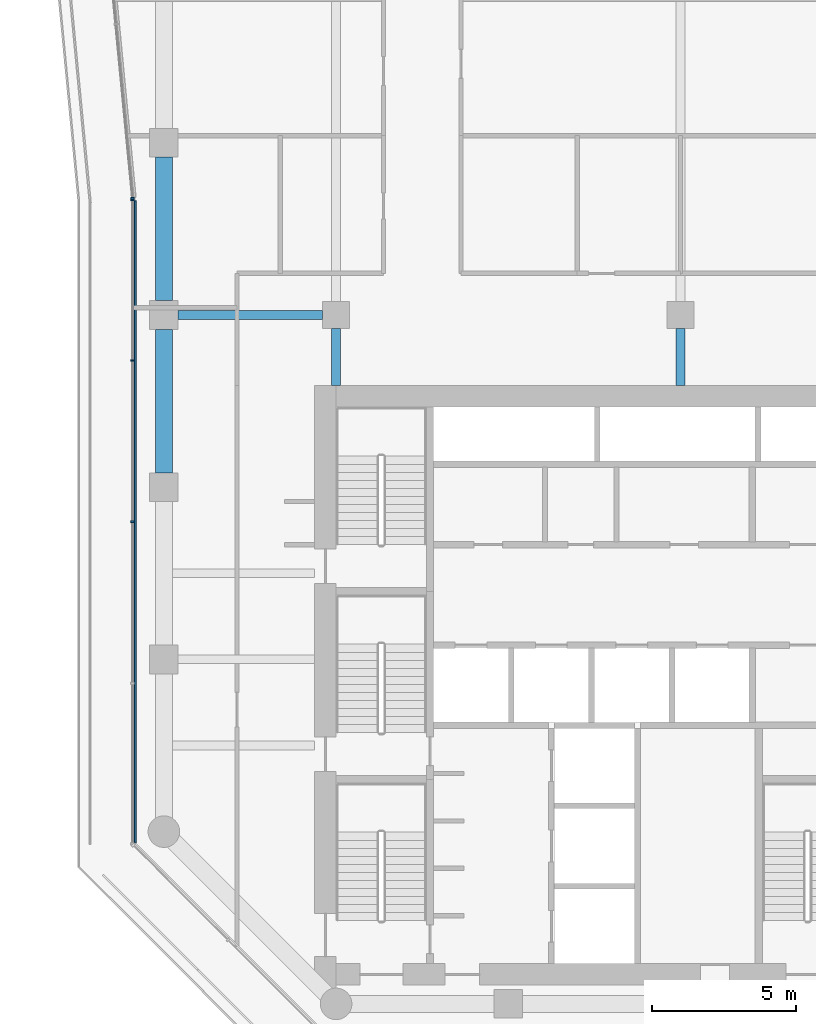
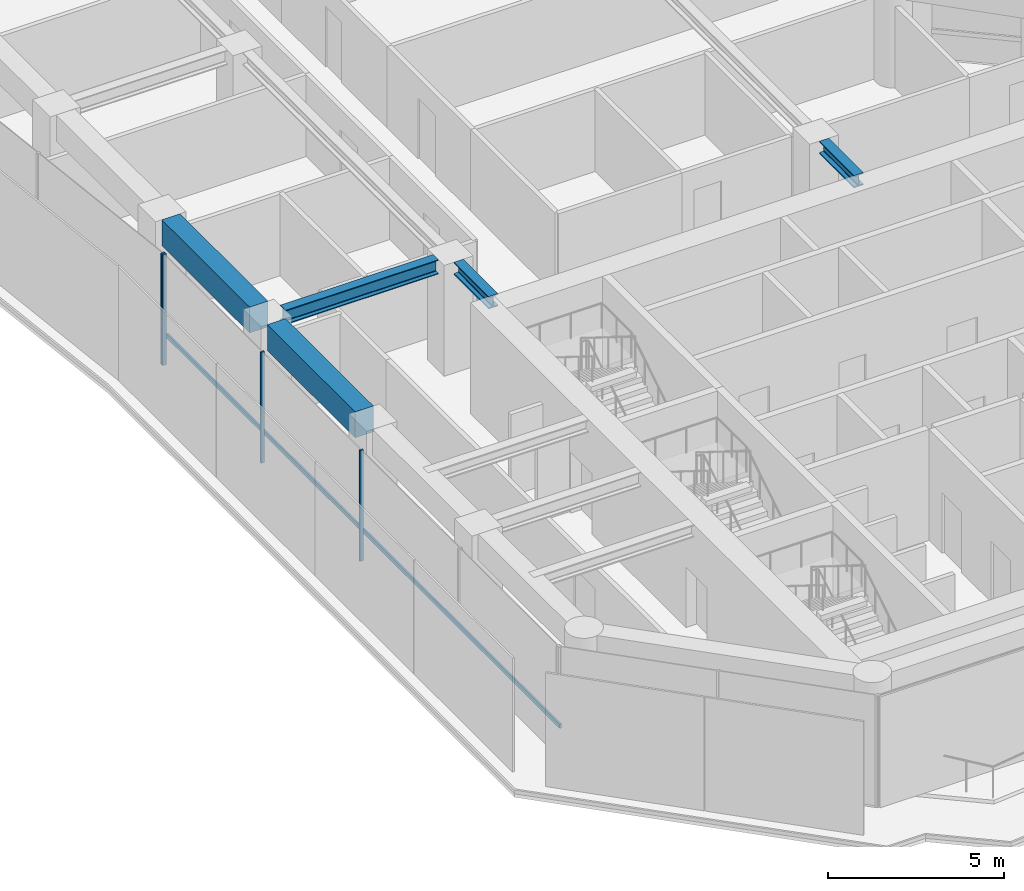
# One storey, part 4 of 28: 5 beams, 5 members, 2 elements without a shape of their own.
"""IFC4 building model written with IfcOpenShell, lengths in metres."""

from ifc_helpers import new_model, si_unit, direction, frame, origin, origin_2d, place, context, subcontext, project, spatial, rectangle, i_section, extrude, material, layer, layer_set, material_profile, profile_set, type_object, element, aggregate, save


model = new_model("IFC4")

# Units and contexts
model_context = context("Model", 3, precision=1e-05, world=origin(), true_north=direction((0.0, 1.0)))
body_context = subcontext(model_context, "Body", "Model", "MODEL_VIEW")
ifc_project = project(units=[si_unit("LENGTHUNIT", "METRE"), si_unit("AREAUNIT", "SQUARE_METRE"), si_unit("VOLUMEUNIT", "CUBIC_METRE"), si_unit("PLANEANGLEUNIT", "RADIAN"), si_unit("MASSUNIT", "GRAM", prefix="KILO")], contexts=[model_context])

# Site, building, storey
site_placement = place(None, origin())
site = spatial("IfcSite", under=ifc_project, at=site_placement, CompositionType="ELEMENT")
building_placement = place(site_placement, origin())
building = spatial("IfcBuilding", under=site, at=building_placement, Name="Welwitschia Terrace Campus", CompositionType="ELEMENT")
storey_placement = place(building_placement, frame((0.0, 0.0, 87.800048828125)))
storey = spatial("IfcBuildingStorey", under=building, at=storey_placement, Name="L19", CompositionType="ELEMENT", Elevation=87.800048828125)

# Beams
ifc_material_1 = material(Name="Steel S355", Category="steel")
ifc_material_profile_1 = material_profile(ifc_material_1, i_section(OverallWidth=0.306884765625, OverallDepth=0.431884765625, WebThickness=0.02099609375, FlangeThickness=0.0400390625, FilletRadius=0.027099609375, at=origin_2d()))
ifc_profile_set_1 = profile_set([ifc_material_profile_1], Name="Steel S355")
beam_type_1 = type_object("IfcBeamType", Name="Interior girder HE 400 M", PredefinedType="BEAM", material=ifc_profile_set_1)
for number, where, z_axis, x_axis, name in (
    (1, (6.0, 25.551025390625, 3.634033203125), (0.0, 1.0, 0.0), (-1.0, 0.0, 0.0), "Girder GB3"),
    (2, (18.0, 25.551025390625, 3.634033203125), (0.0, 1.0, 0.0), (-1.0, 0.0, 0.0), "Girder GB3"),
):
    element("IfcBeam", number, at=place(storey_placement, frame(where, z_axis=z_axis, x_axis=x_axis)), inside=storey, type_object=beam_type_1, Name=name, PredefinedType="BEAM", context=body_context, shape_type="SweptSolid", body=[
        extrude(i_section(OverallWidth=0.306884765625, OverallDepth=0.431884765625, WebThickness=0.02099609375, FlangeThickness=0.0400390625, FilletRadius=0.027099609375, at=origin_2d()), origin(), (0.0, 0.0, 1.0), 1.973388671875),
    ])

# Curtain wall, member
ifc_material_2 = material(Name="Bronze anodised aluminium", Category="aluminium")
ifc_layer = layer(ifc_material_2, 0.1201171875)
ifc_layer_set = layer_set([ifc_layer], Name="Bronze anodised aluminium")
curtain_wall_type = type_object("IfcCurtainWallType", Name="Curtain wall CW2 tower 6000", PredefinedType="NOTDEFINED", material=ifc_layer_set)
curtain_wall_1_placement = place(storey_placement, origin())
curtain_wall_1 = element("IfcCurtainWall", 3, at=curtain_wall_1_placement, inside=storey, type_object=curtain_wall_type, Name="CW L19.0.0", PredefinedType="NOTDEFINED")
ifc_material_3 = material(Name="Bronze anodised aluminium", Category="aluminium")
ifc_material_profile_2 = material_profile(ifc_material_3, rectangle(XDim=0.1201171875, YDim=0.06005859375, at=origin_2d()))
ifc_profile_set_2 = profile_set([ifc_material_profile_2], Name="Bronze anodised aluminium")
member_type_1 = type_object("IfcMemberType", Name="Mullion 60x120", PredefinedType="MULLION", material=ifc_profile_set_2)
member_1_placement = place(storey_placement, frame((-1.0888671875, 32.068603515625, 0.0), z_axis=(0.0, 0.0, 1.0), x_axis=(0.995396198367, 0.09584575252, 0.0)))
member_1 = element("IfcMember", 4, at=member_1_placement, type_object=member_type_1, Name="Mullion L19.0.0.6", PredefinedType="MULLION", context=body_context, shape_type="SweptSolid", body=[
    extrude(rectangle(XDim=0.1201171875, YDim=0.06005859375, at=origin_2d()), origin(), (0.0, 0.0, 1.0), 3.849853515625),
])
aggregate(curtain_wall_1, [member_1])

# Curtain wall, members
curtain_wall_2_placement = place(storey_placement, origin())
curtain_wall_2 = element("IfcCurtainWall", 5, at=curtain_wall_2_placement, inside=storey, type_object=curtain_wall_type, Name="CW L19.1.0", PredefinedType="NOTDEFINED")
member_2_placement = place(storey_placement, frame((-1.0859375, 32.0087890625, 0.0), z_axis=(0.0, 0.0, 1.0), x_axis=(1.0, 0.0, 0.0)))
member_2 = element("IfcMember", 6, at=member_2_placement, type_object=member_type_1, Name="Mullion L19.1.0.0", PredefinedType="MULLION", context=body_context, shape_type="SweptSolid", body=[
    extrude(rectangle(XDim=0.1201171875, YDim=0.06005859375, at=origin_2d()), origin(), (0.0, 0.0, 1.0), 3.849853515625),
])
member_3_placement = place(storey_placement, frame((-1.0859375, 26.41650390625, 0.0), z_axis=(0.0, 0.0, 1.0), x_axis=(1.0, 0.0, 0.0)))
member_3 = element("IfcMember", 7, at=member_3_placement, type_object=member_type_1, Name="Mullion L19.1.0.1", PredefinedType="MULLION", context=body_context, shape_type="SweptSolid", body=[
    extrude(rectangle(XDim=0.1201171875, YDim=0.06005859375, at=origin_2d()), origin(), (0.0, 0.0, 1.0), 3.849853515625),
])
member_4_placement = place(storey_placement, frame((-1.0859375, 20.79443359375, 0.0), z_axis=(0.0, 0.0, 1.0), x_axis=(1.0, 0.0, 0.0)))
member_4 = element("IfcMember", 8, at=member_4_placement, type_object=member_type_1, Name="Mullion L19.1.0.2", PredefinedType="MULLION", context=body_context, shape_type="SweptSolid", body=[
    extrude(rectangle(XDim=0.1201171875, YDim=0.06005859375, at=origin_2d()), origin(), (0.0, 0.0, 1.0), 3.849853515625),
])

# Beams
ifc_material_4 = material(Name="Steel S355", Category="steel")
ifc_material_profile_3 = material_profile(ifc_material_4, i_section(OverallWidth=0.300048828125, OverallDepth=0.5, WebThickness=0.014404296875, FlangeThickness=0.028076171875, FilletRadius=0.027099609375, at=origin_2d()))
ifc_profile_set_3 = profile_set([ifc_material_profile_3], Name="Steel S355")
beam_type_2 = type_object("IfcBeamType", Name="Primary beam HE 500 B", PredefinedType="BEAM", material=ifc_profile_set_3)
beam_placement = place(storey_placement, frame((0.50048828125, 28.0, 3.599853515625), z_axis=(1.0, 0.0, 0.0), x_axis=(0.0, 1.0, 0.0)))
element("IfcBeam", 9, at=beam_placement, inside=storey, type_object=beam_type_2, Name="Primary beam PB3", PredefinedType="BEAM", context=body_context, shape_type="SweptSolid", body=[
    extrude(i_section(OverallWidth=0.300048828125, OverallDepth=0.5, WebThickness=0.014404296875, FlangeThickness=0.028076171875, FilletRadius=0.027099609375, at=origin_2d()), origin(), (0.0, 0.0, 1.0), 5.02392578125),
])
ifc_material_5 = material(Name="Concrete C60/75", Category="concrete")
ifc_material_profile_4 = material_profile(ifc_material_5, rectangle(XDim=0.60009765625, YDim=0.89990234375, at=origin_2d()))
ifc_profile_set_4 = profile_set([ifc_material_profile_4], Name="Concrete C60/75")
beam_type_3 = type_object("IfcBeamType", Name="Ring spandrel 600x900", PredefinedType="SPANDREL", material=ifc_profile_set_4)
for number, where, z_axis, x_axis, name in (
    (10, (0.0, 33.49951171875, 3.39990234375), (0.0, -1.0, 0.0), (1.0, 0.0, 0.0), "Spandrel SP2"),
    (11, (0.0, 27.49951171875, 3.39990234375), (0.0, -1.0, 0.0), (1.0, 0.0, 0.0), "Spandrel SP2"),
):
    element("IfcBeam", number, at=place(storey_placement, frame(where, z_axis=z_axis, x_axis=x_axis)), inside=storey, type_object=beam_type_3, Name=name, PredefinedType="SPANDREL", context=body_context, shape_type="SweptSolid", body=[
        extrude(rectangle(XDim=0.60009765625, YDim=0.89990234375, at=origin_2d()), origin(), (0.0, 0.0, 1.0), 4.9990234375),
    ])

# Member
ifc_material_6 = material(Name="Bronze anodised aluminium", Category="aluminium")
ifc_material_profile_5 = material_profile(ifc_material_6, rectangle(XDim=0.06005859375, YDim=0.14990234375, at=origin_2d()))
ifc_profile_set_5 = profile_set([ifc_material_profile_5], Name="Bronze anodised aluminium")
member_type_2 = type_object("IfcMemberType", Name="Transom 60x150", PredefinedType="USERDEFINED", material=ifc_profile_set_5)
member_5_placement = place(storey_placement, frame((-0.99609375, 31.978759765625, 1.0), z_axis=(0.0, -1.0, 0.0), x_axis=(1.0, 0.0, 0.0)))
member_5 = element("IfcMember", 12, at=member_5_placement, type_object=member_type_2, Name="Transom L19.1.0", ObjectType="TRANSOM", PredefinedType="USERDEFINED", context=body_context, shape_type="SweptSolid", body=[
    extrude(rectangle(XDim=0.06005859375, YDim=0.14990234375, at=origin_2d()), origin(), (0.0, 0.0, 1.0), 22.36865234375),
])

aggregate(curtain_wall_2, [member_2, member_3, member_4, member_5])

save(model, "model.ifc")
